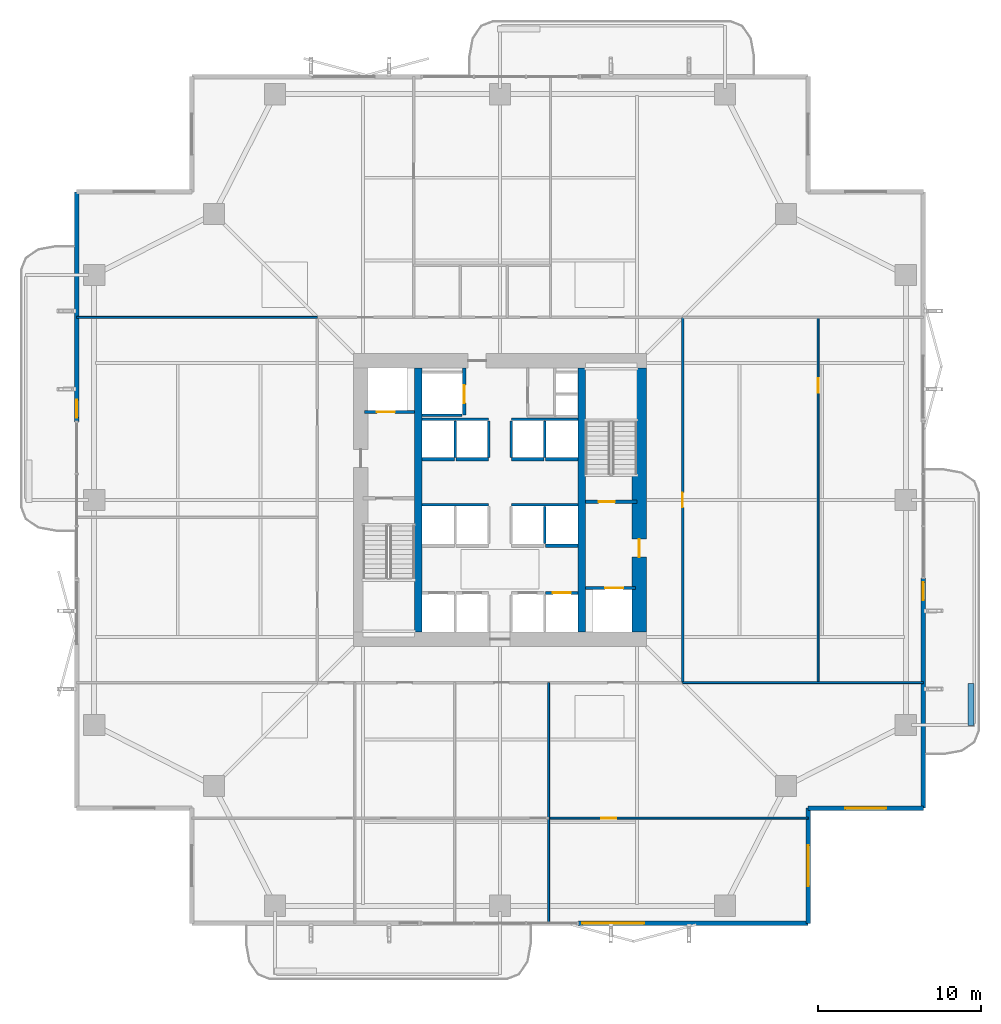
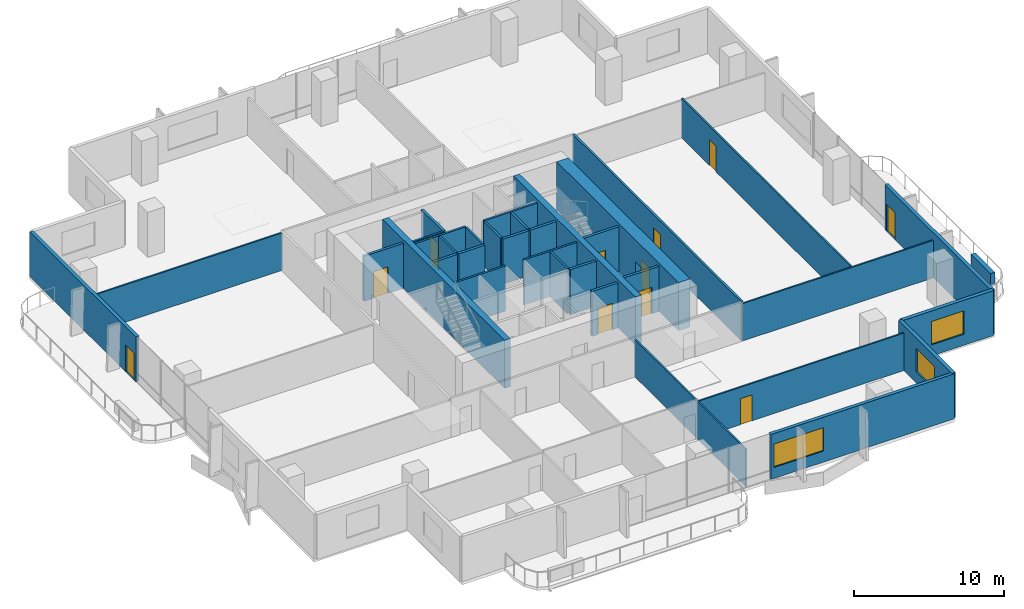
# One storey, part 18 of 23: 35 walls, 11 doors, 3 windows, 14 openings.
"""IFC4 building model written with IfcOpenShell, lengths in metres."""

from ifc_helpers import new_model, si_unit, direction, frame, frame_2d, origin, place, context, subcontext, project, spatial, rectangle, extrude, material, layer, layer_set, type_object, element, fill, save


model = new_model("IFC4")

# Units and contexts
model_context = context("Model", 3, precision=1e-05, world=origin(), true_north=direction((0.0, 1.0)))
body_context = subcontext(model_context, "Body", "Model", "MODEL_VIEW")
ifc_project = project(units=[si_unit("LENGTHUNIT", "METRE"), si_unit("AREAUNIT", "SQUARE_METRE"), si_unit("VOLUMEUNIT", "CUBIC_METRE"), si_unit("PLANEANGLEUNIT", "RADIAN"), si_unit("MASSUNIT", "GRAM", prefix="KILO")], contexts=[model_context])

# Site, building, storey
site_placement = place(None, origin())
site = spatial("IfcSite", under=ifc_project, at=site_placement, CompositionType="ELEMENT")
building_placement = place(site_placement, origin())
building = spatial("IfcBuilding", under=site, at=building_placement, Name="Belovzor Exchange Tower", CompositionType="ELEMENT")
storey_placement = place(building_placement, frame((0.0, 0.0, 125.10009765625)))
storey = spatial("IfcBuildingStorey", under=building, at=storey_placement, Name="L30", CompositionType="ELEMENT", Elevation=125.10009765625)

# Wall
ifc_material_1 = material(Name="Acoustic Plasterboard on Galvanised Studs", Category="gypsum")
ifc_layer_1 = layer(ifc_material_1, 0.1201171875)
ifc_layer_set_1 = layer_set([ifc_layer_1], Name="Acoustic Plasterboard on Galvanised Studs")
wall_type_1 = type_object("IfcWallType", Name="Acoustic Double-Stud Partition Wall 120", PredefinedType="PARTITIONING", material=ifc_layer_set_1)
wall_1_placement = place(storey_placement, frame((31.780029296875, 2.830078125, 0.0), z_axis=(0.0, 0.0, 1.0), x_axis=(0.0, 1.0, 0.0)))
element("IfcWall", 1, at=wall_1_placement, inside=storey, type_object=wall_type_1, Name="W-P120 Partition Wall W-L30-SDIV-3", PredefinedType="PARTITIONING", context=body_context, shape_type="SweptSolid", body=[
    extrude(rectangle(XDim=14.77001953125, YDim=0.1201171875, at=frame_2d((7.385009765625, 0.0))), origin(), (0.0, 0.0, 1.0), 3.034912109375),
])

# Wall, opening, door
wall_2_placement = place(storey_placement, frame((31.780029296875, 9.280029296875, 0.0), z_axis=(0.0, 0.0, 1.0), x_axis=(1.0, 0.0, 0.0)))
wall_2 = element("IfcWall", 2, at=wall_2_placement, inside=storey, type_object=wall_type_1, Name="W-P120 Partition Wall W-L30-SHDIV-3", PredefinedType="PARTITIONING", context=body_context, shape_type="SweptSolid", body=[
    extrude(rectangle(XDim=15.919921875, YDim=0.1201171875, at=frame_2d((7.9599609375, 0.0))), origin(), (0.0, 0.0, 1.0), 3.034912109375),
])
opening_1_placement = place(wall_2_placement, frame((3.24609375, 0.0, 0.0)))
opening_1 = element("IfcOpeningElement", 3, at=opening_1_placement, cuts=wall_2, Name="Opening D-INT-090", PredefinedType="OPENING", context=body_context, shape_type="SweptSolid", body=[
    extrude(rectangle(XDim=0.89990234375, YDim=2.10009765625, at=frame_2d((0.449951171875, 1.050048828125))), frame((0.0, 0.070068359375, 0.0), z_axis=(0.0, -1.0, 0.0), x_axis=(1.0, 0.0, 0.0)), (0.0, 0.0, 1.0), 0.14013671875),
])
ifc_material_2 = material(Name="Veneered Hardwood Acoustic Leaf", Category="wood")
door_type_1 = type_object("IfcDoorType", Name="Trading Suite Acoustic Single Door 900x2100", OperationType="NOTDEFINED", PredefinedType="DOOR", material=ifc_material_2)
door_1_placement = place(opening_1_placement, origin())
door_1 = element("IfcDoor", 4, at=door_1_placement, inside=storey, type_object=door_type_1, Name="D-INT-090 Trading Suite Acoustic Single Door 900x2100", OperationType="SINGLE_SWING_LEFT", OverallHeight=2.10009765625, OverallWidth=0.89990234375, PredefinedType="DOOR", context=body_context, shape_type="SweptSolid", body=[
    extrude(rectangle(XDim=0.89990234375, YDim=2.10009765625, at=frame_2d((0.449951171875, 1.050048828125))), frame((0.0, 0.02490234375, 0.0), z_axis=(0.0, -1.0, 0.0), x_axis=(1.0, 0.0, 0.0)), (0.0, 0.0, 1.0), 0.050048828125),
])
fill(opening_1, door_1)

# Walls
for number, where, z_axis, x_axis, name in (
    (5, (40.0, 17.60009765625, 0.0), (0.0, 0.0, 1.0), (1.0, 0.0, 0.0), "W-P120 Partition Wall W-L30-END-SE"),
    (6, (2.830078125, 40.0, 0.0), (0.0, 0.0, 1.0), (1.0, 0.0, 0.0), "W-P120 Partition Wall W-L30-END-NW"),
):
    element("IfcWall", number, at=place(storey_placement, frame(where, z_axis=z_axis, x_axis=x_axis)), inside=storey, type_object=wall_type_1, Name=name, PredefinedType="PARTITIONING", context=body_context, shape_type="SweptSolid", body=[
        extrude(rectangle(XDim=14.77001953125, YDim=0.1201171875, at=frame_2d((7.385009765625, 0.0))), origin(), (0.0, 0.0, 1.0), 3.034912109375),
    ])

# Wall, opening, door
wall_3_placement = place(storey_placement, frame((48.320068359375, 17.60009765625, 0.0), z_axis=(0.0, 0.0, 1.0), x_axis=(0.0, 1.0, 0.0)))
wall_3 = element("IfcWall", 7, at=wall_3_placement, inside=storey, type_object=wall_type_1, Name="W-P120 Partition Wall W-L30-EHDIV-0", PredefinedType="PARTITIONING", context=body_context, shape_type="SweptSolid", body=[
    extrude(rectangle(XDim=22.39990234375, YDim=0.1201171875, at=frame_2d((11.199951171875, 0.0))), origin(), (0.0, 0.0, 1.0), 3.184814453125),
])
opening_2_placement = place(wall_3_placement, frame((17.782958984375, 0.0, 0.0)))
opening_2 = element("IfcOpeningElement", 8, at=opening_2_placement, cuts=wall_3, Name="Opening D-INT-090", PredefinedType="OPENING", context=body_context, shape_type="SweptSolid", body=[
    extrude(rectangle(XDim=0.89990234375, YDim=2.10009765625, at=frame_2d((0.449951171875, 1.050048828125))), frame((0.0, 0.070068359375, 0.0), z_axis=(0.0, -1.0, 0.0), x_axis=(1.0, 0.0, 0.0)), (0.0, 0.0, 1.0), 0.14013671875),
])
door_2_placement = place(opening_2_placement, origin())
door_2 = element("IfcDoor", 9, at=door_2_placement, inside=storey, type_object=door_type_1, Name="D-INT-090 Trading Suite Acoustic Single Door 900x2100", OperationType="SINGLE_SWING_RIGHT", OverallHeight=2.10009765625, OverallWidth=0.89990234375, PredefinedType="DOOR", context=body_context, shape_type="SweptSolid", body=[
    extrude(rectangle(XDim=0.89990234375, YDim=2.10009765625, at=frame_2d((0.449951171875, 1.050048828125))), frame((0.0, 0.02490234375, 0.0), z_axis=(0.0, -1.0, 0.0), x_axis=(1.0, 0.0, 0.0)), (0.0, 0.0, 1.0), 0.050048828125),
])
fill(opening_2, door_2)

ifc_material_3 = material(Name="Fire-Rated Gypsum Block and Mineral Wool", Category="gypsum")
ifc_layer_2 = layer(ifc_material_3, 0.14990234375)
ifc_layer_set_2 = layer_set([ifc_layer_2], Name="Fire-Rated Gypsum Block and Mineral Wool")
wall_type_2 = type_object("IfcWallType", Name="Fire-Rated Gypsum Block Corridor Wall 150", PredefinedType="PARTITIONING", material=ifc_layer_set_2)
wall_4_placement = place(storey_placement, frame((40.0, 17.60009765625, 0.0), z_axis=(0.0, 0.0, 1.0), x_axis=(0.0, 1.0, 0.0)))
wall_4 = element("IfcWall", 10, at=wall_4_placement, inside=storey, type_object=wall_type_2, Name="W-P150 Partition Wall W-L30-CE", PredefinedType="PARTITIONING", context=body_context, shape_type="SweptSolid", body=[
    extrude(rectangle(XDim=22.39990234375, YDim=0.14990234375, at=frame_2d((11.199951171875, 0.0))), origin(), (0.0, 0.0, 1.0), 3.184814453125),
])
opening_3_placement = place(wall_4_placement, frame((10.75, 0.0, 0.0)))
opening_3 = element("IfcOpeningElement", 11, at=opening_3_placement, cuts=wall_4, Name="Opening D-INT-090", PredefinedType="OPENING", context=body_context, shape_type="SweptSolid", body=[
    extrude(rectangle(XDim=0.89990234375, YDim=2.10009765625, at=frame_2d((0.449951171875, 1.050048828125))), frame((0.0, 0.0849609375, 0.0), z_axis=(0.0, -1.0, 0.0), x_axis=(1.0, 0.0, 0.0)), (0.0, 0.0, 1.0), 0.169921875),
])
door_3_placement = place(opening_3_placement, origin())
door_3 = element("IfcDoor", 12, at=door_3_placement, inside=storey, type_object=door_type_1, Name="D-INT-090 Trading Suite Acoustic Single Door 900x2100", OperationType="SINGLE_SWING_LEFT", OverallHeight=2.10009765625, OverallWidth=0.89990234375, PredefinedType="DOOR", context=body_context, shape_type="SweptSolid", body=[
    extrude(rectangle(XDim=0.89990234375, YDim=2.10009765625, at=frame_2d((0.449951171875, 1.050048828125))), frame((0.0, 0.02490234375, 0.0), z_axis=(0.0, -1.0, 0.0), x_axis=(1.0, 0.0, 0.0)), (0.0, 0.0, 1.0), 0.050048828125),
])
fill(opening_3, door_3)

# Wall, opening, window
ifc_material_4 = material(Name="Precast concrete C40/50", Category="concrete")
ifc_layer_3 = layer(ifc_material_4, 0.280029296875)
ifc_layer_set_3 = layer_set([ifc_layer_3], Name="Precast concrete C40/50")
wall_type_3 = type_object("IfcWallType", Name="Precast Concrete Notched Corner Frame Wall 280", PredefinedType="SOLIDWALL", material=ifc_layer_set_3)
wall_5_placement = place(storey_placement, frame((54.77001953125, 9.89990234375, 0.0), z_axis=(0.0, 0.0, 1.0), x_axis=(-1.0, 0.0, 0.0)))
wall_5 = element("IfcWall", 13, at=wall_5_placement, inside=storey, type_object=wall_type_3, Name="W-CRN280 Precast Concrete Notched Corner Frame Wall 280 L30", PredefinedType="SOLIDWALL", context=body_context, shape_type="SweptSolid", body=[
    extrude(rectangle(XDim=7.070068359375, YDim=0.280029296875, at=frame_2d((3.53515625, 0.0))), origin(), (0.0, 0.0, 1.0), 3.64990234375),
])
opening_4_placement = place(wall_5_placement, frame((2.284912109375, 0.0, 0.89990234375)))
opening_4 = element("IfcOpeningElement", 14, at=opening_4_placement, cuts=wall_5, Name="Opening WN-CRN250", PredefinedType="OPENING", context=body_context, shape_type="SweptSolid", body=[
    extrude(rectangle(XDim=2.5, YDim=1.89990234375, at=frame_2d((1.25, 0.949951171875))), frame((0.0, 0.14990234375, 0.0), z_axis=(0.0, -1.0, 0.0), x_axis=(1.0, 0.0, 0.0)), (0.0, 0.0, 1.0), 0.300048828125),
])
ifc_material_5 = material(Name="Thermally Broken Aluminium and Triple Glazing", Category="aluminium")
window_type_1 = type_object("IfcWindowType", Name="Streamline Moderne Corner Wrap Ribbon Window 2500x1900", PartitioningType="SINGLE_PANEL", PredefinedType="WINDOW", material=ifc_material_5)
window_1_placement = place(opening_4_placement, origin())
window_1 = element("IfcWindow", 15, at=window_1_placement, inside=storey, type_object=window_type_1, Name="WN-CRN250 Streamline Moderne Corner Wrap Ribbon Window 2500x1900", OverallHeight=1.89990234375, OverallWidth=2.5, PartitioningType="SINGLE_PANEL", PredefinedType="WINDOW", context=body_context, shape_type="SweptSolid", body=[
    extrude(rectangle(XDim=2.5, YDim=1.89990234375, at=frame_2d((1.25, 0.949951171875))), frame((0.0, 0.030029296875, 0.0), z_axis=(0.0, -1.0, 0.0), x_axis=(1.0, 0.0, 0.0)), (0.0, 0.0, 1.0), 0.06005859375),
])
fill(opening_4, window_1)

wall_6_placement = place(storey_placement, frame((47.699951171875, 9.89990234375, 0.0), z_axis=(0.0, 0.0, 1.0), x_axis=(0.0, -1.0, 0.0)))
wall_6 = element("IfcWall", 16, at=wall_6_placement, inside=storey, type_object=wall_type_3, Name="W-CRN280 Precast Concrete Notched Corner Frame Wall 280 L30", PredefinedType="SOLIDWALL", context=body_context, shape_type="SweptSolid", body=[
    extrude(rectangle(XDim=7.06982421875, YDim=0.280029296875, at=frame_2d((3.534912109375, 0.0))), origin(), (0.0, 0.0, 1.0), 3.64990234375),
])
opening_5_placement = place(wall_6_placement, frame((2.284912109375, 0.0, 0.89990234375)))
opening_5 = element("IfcOpeningElement", 17, at=opening_5_placement, cuts=wall_6, Name="Opening WN-CRN250", PredefinedType="OPENING", context=body_context, shape_type="SweptSolid", body=[
    extrude(rectangle(XDim=2.5, YDim=1.89990234375, at=frame_2d((1.25, 0.949951171875))), frame((0.0, 0.14990234375, 0.0), z_axis=(0.0, -1.0, 0.0), x_axis=(1.0, 0.0, 0.0)), (0.0, 0.0, 1.0), 0.300048828125),
])
window_2_placement = place(opening_5_placement, origin())
window_2 = element("IfcWindow", 18, at=window_2_placement, inside=storey, type_object=window_type_1, Name="WN-CRN250 Streamline Moderne Corner Wrap Ribbon Window 2500x1900", OverallHeight=1.89990234375, OverallWidth=2.5, PartitioningType="SINGLE_PANEL", PredefinedType="WINDOW", context=body_context, shape_type="SweptSolid", body=[
    extrude(rectangle(XDim=2.5, YDim=1.89990234375, at=frame_2d((1.25, 0.949951171875))), frame((0.0, 0.030029296875, 0.0), z_axis=(0.0, -1.0, 0.0), x_axis=(1.0, 0.0, 0.0)), (0.0, 0.0, 1.0), 0.06005859375),
])
fill(opening_5, window_2)

ifc_material_6 = material(Name="Precast concrete C40/50", Category="concrete")
ifc_layer_4 = layer(ifc_material_6, 0.260009765625)
ifc_layer_set_4 = layer_set([ifc_layer_4], Name="Precast concrete C40/50")
wall_type_4 = type_object("IfcWallType", Name="Precast Concrete Perimeter Loggia Frame Wall 260", PredefinedType="SOLIDWALL", material=ifc_layer_set_4)
wall_7_placement = place(storey_placement, frame((47.699951171875, 2.830078125, 0.0), z_axis=(0.0, 0.0, 1.0), x_axis=(-1.0, 0.0, 0.0)))
wall_7 = element("IfcWall", 19, at=wall_7_placement, inside=storey, type_object=wall_type_4, Name="W-EXT260 Precast Concrete Perimeter Loggia Frame Wall 260 L30", PredefinedType="SOLIDWALL", context=body_context, shape_type="SweptSolid", body=[
    extrude(rectangle(XDim=14.099853515625, YDim=0.260009765625, at=frame_2d((7.0498046875, 0.0))), origin(), (0.0, 0.0, 1.0), 3.64990234375),
])
opening_6_placement = place(wall_7_placement, frame((10.050048828125, 0.0, 0.89990234375)))
opening_6 = element("IfcOpeningElement", 20, at=opening_6_placement, cuts=wall_7, Name="Opening WN-RIB380", PredefinedType="OPENING", context=body_context, shape_type="SweptSolid", body=[
    extrude(rectangle(XDim=3.800048828125, YDim=1.89990234375, at=frame_2d((1.89990234375, 0.949951171875))), frame((0.0, 0.139892578125, 0.0), z_axis=(0.0, -1.0, 0.0), x_axis=(1.0, 0.0, 0.0)), (0.0, 0.0, 1.0), 0.280029296875),
])
ifc_material_7 = material(Name="Thermally Broken Aluminium and Triple Glazing", Category="aluminium")
window_type_2 = type_object("IfcWindowType", Name="Streamline Moderne Horizontal Ribbon Window 3800x1900", PartitioningType="SINGLE_PANEL", PredefinedType="WINDOW", material=ifc_material_7)
window_3_placement = place(opening_6_placement, origin())
window_3 = element("IfcWindow", 21, at=window_3_placement, inside=storey, type_object=window_type_2, Name="WN-RIB380 Streamline Moderne Horizontal Ribbon Window 3800x1900", OverallHeight=1.89990234375, OverallWidth=3.800048828125, PartitioningType="SINGLE_PANEL", PredefinedType="WINDOW", context=body_context, shape_type="SweptSolid", body=[
    extrude(rectangle(XDim=3.800048828125, YDim=1.89990234375, at=frame_2d((1.89990234375, 0.949951171875))), frame((0.0, 0.030029296875, 0.0), z_axis=(0.0, -1.0, 0.0), x_axis=(1.0, 0.0, 0.0)), (0.0, 0.0, 1.0), 0.06005859375),
])
fill(opening_6, window_3)

# Wall, opening, door
wall_8_placement = place(storey_placement, frame((2.830078125, 33.60009765625, 0.0), z_axis=(0.0, 0.0, 1.0), x_axis=(0.0, 1.0, 0.0)))
wall_8 = element("IfcWall", 22, at=wall_8_placement, inside=storey, type_object=wall_type_4, Name="W-EXT260 Precast Concrete Perimeter Loggia Frame Wall 260 L30", PredefinedType="SOLIDWALL", context=body_context, shape_type="SweptSolid", body=[
    extrude(rectangle(XDim=14.099853515625, YDim=0.260009765625, at=frame_2d((7.0498046875, 0.0))), origin(), (0.0, 0.0, 1.0), 3.64990234375),
])
opening_7_placement = place(wall_8_placement, frame((0.25, 0.0, 0.0)))
opening_7 = element("IfcOpeningElement", 23, at=opening_7_placement, cuts=wall_8, Name="Opening D-BAL110", PredefinedType="OPENING", context=body_context, shape_type="SweptSolid", body=[
    extrude(rectangle(XDim=1.10009765625, YDim=2.199951171875, at=frame_2d((0.550048828125, 1.10009765625))), frame((0.0, 0.139892578125, 0.0), z_axis=(0.0, -1.0, 0.0), x_axis=(1.0, 0.0, 0.0)), (0.0, 0.0, 1.0), 0.280029296875),
])
ifc_material_8 = material(Name="Thermally Broken Anodised Aluminium and Laminated Glass", Category="aluminium")
door_type_2 = type_object("IfcDoorType", Name="Planted Loggia Terrace Glazed Door 1100x2200", OperationType="SINGLE_SWING_LEFT", PredefinedType="DOOR", material=ifc_material_8)
door_4_placement = place(opening_7_placement, origin())
door_4 = element("IfcDoor", 24, at=door_4_placement, inside=storey, type_object=door_type_2, Name="D-BAL110 Balcony Terrace Door L30 W", OperationType="SINGLE_SWING_RIGHT", OverallHeight=2.199951171875, OverallWidth=1.10009765625, PredefinedType="DOOR", context=body_context, shape_type="SweptSolid", body=[
    extrude(rectangle(XDim=1.10009765625, YDim=2.199951171875, at=frame_2d((0.550048828125, 1.10009765625))), frame((0.0, 0.02490234375, 0.0), z_axis=(0.0, -1.0, 0.0), x_axis=(1.0, 0.0, 0.0)), (0.0, 0.0, 1.0), 0.050048828125),
])
fill(opening_7, door_4)

wall_9_placement = place(storey_placement, frame((54.77001953125, 24.0, 0.0), z_axis=(0.0, 0.0, 1.0), x_axis=(0.0, -1.0, 0.0)))
wall_9 = element("IfcWall", 25, at=wall_9_placement, inside=storey, type_object=wall_type_4, Name="W-EXT260 Precast Concrete Perimeter Loggia Frame Wall 260 L30", PredefinedType="SOLIDWALL", context=body_context, shape_type="SweptSolid", body=[
    extrude(rectangle(XDim=14.10009765625, YDim=0.260009765625, at=frame_2d((7.050048828125, 0.0))), origin(), (0.0, 0.0, 1.0), 3.64990234375),
])
opening_8_placement = place(wall_9_placement, frame((0.25, 0.0, 0.0)))
opening_8 = element("IfcOpeningElement", 26, at=opening_8_placement, cuts=wall_9, Name="Opening D-BAL110", PredefinedType="OPENING", context=body_context, shape_type="SweptSolid", body=[
    extrude(rectangle(XDim=1.10009765625, YDim=2.199951171875, at=frame_2d((0.550048828125, 1.10009765625))), frame((0.0, 0.139892578125, 0.0), z_axis=(0.0, -1.0, 0.0), x_axis=(1.0, 0.0, 0.0)), (0.0, 0.0, 1.0), 0.280029296875),
])
door_5_placement = place(opening_8_placement, origin())
door_5 = element("IfcDoor", 27, at=door_5_placement, inside=storey, type_object=door_type_2, Name="D-BAL110 Balcony Terrace Door L30 E", OperationType="SINGLE_SWING_LEFT", OverallHeight=2.199951171875, OverallWidth=1.10009765625, PredefinedType="DOOR", context=body_context, shape_type="SweptSolid", body=[
    extrude(rectangle(XDim=1.10009765625, YDim=2.199951171875, at=frame_2d((0.550048828125, 1.10009765625))), frame((0.0, 0.02490234375, 0.0), z_axis=(0.0, -1.0, 0.0), x_axis=(1.0, 0.0, 0.0)), (0.0, 0.0, 1.0), 0.050048828125),
])
fill(opening_8, door_5)

# Walls
ifc_material_9 = material(Name="Precast concrete C40/50", Category="concrete")
ifc_layer_5 = layer(ifc_material_9, 0.35009765625)
ifc_layer_set_5 = layer_set([ifc_layer_5], Name="Precast concrete C40/50")
wall_type_5 = type_object("IfcWallType", Name="Precast Concrete Structural Tree Planter Trough 350", PredefinedType="PARAPET", material=ifc_layer_set_5)
wall_10_placement = place(storey_placement, frame((57.699951171875, 14.949951171875, 0.0), z_axis=(0.0, 0.0, 1.0), x_axis=(0.0, 1.0, 0.0)))
element("IfcWall", 28, at=wall_10_placement, inside=storey, type_object=wall_type_5, Name="PT-350 Precast Concrete Structural Tree Planter Trough 350 L30", PredefinedType="PARAPET", context=body_context, shape_type="SweptSolid", body=[
    extrude(rectangle(XDim=2.60009765625, YDim=0.35009765625, at=frame_2d((1.300048828125, 0.0))), origin(), (0.0, 0.0, 1.0), 0.89990234375),
])
ifc_material_10 = material(Name="Concrete C50/60", Category="concrete")
ifc_layer_6 = layer(ifc_material_10, 0.449951171875)
ifc_layer_set_6 = layer_set([ifc_layer_6], Name="Concrete C50/60")
wall_type_6 = type_object("IfcWallType", Name="Reinforced Concrete Core Internal Web Wall 450", PredefinedType="SHEAR", material=ifc_layer_set_6)
for number, where, z_axis, x_axis, name in (
    (29, (23.77490234375, 20.699951171875, 0.0), (0.0, 0.0, 1.0), (0.0, 1.0, 0.0), "CW-W045 Core Internal Web Wall L30 WL"),
    (30, (33.824951171875, 20.699951171875, 0.0), (0.0, 0.0, 1.0), (0.0, 1.0, 0.0), "CW-W045 Core Internal Web Wall L30 ER"),
):
    element("IfcWall", number, at=place(storey_placement, frame(where, z_axis=z_axis, x_axis=x_axis)), inside=storey, type_object=wall_type_6, Name=name, PredefinedType="SHEAR", context=body_context, shape_type="SweptSolid", body=[
        extrude(rectangle(XDim=16.199951171875, YDim=0.449951171875, at=frame_2d((8.10009765625, 0.0))), origin(), (0.0, 0.0, 1.0), 3.89990234375),
    ])
ifc_material_11 = material(Name="Concrete C50/60", Category="concrete")
ifc_layer_7 = layer(ifc_material_11, 0.14990234375)
ifc_layer_set_7 = layer_set([ifc_layer_7], Name="Concrete C50/60")
wall_type_7 = type_object("IfcWallType", Name="Reinforced Concrete Core Riser Shear Wall 150", PredefinedType="SHEAR", material=ifc_layer_set_7)
wall_11_placement = place(storey_placement, frame((24.0, 34.0, 0.0), z_axis=(0.0, 0.0, 1.0), x_axis=(1.0, 0.0, 0.0)))
element("IfcWall", 31, at=wall_11_placement, inside=storey, type_object=wall_type_7, Name="W-C150S Core Shaft Wall W-SH-L30-SL-01S", PredefinedType="SHEAR", context=body_context, shape_type="SweptSolid", body=[
    extrude(rectangle(XDim=2.47998046875, YDim=0.14990234375, at=frame_2d((1.239990234375, 0.0))), origin(), (0.0, 0.0, 1.0), 3.64990234375),
])
for number, where, z_axis, x_axis, name in (
    (32, (24.02001953125, 28.5, 0.0), (0.0, 0.0, 1.0), (1.0, 0.0, 0.0), "W-C150S Core Shaft Wall W-SHB-L30-PLM-NW"),
    (33, (29.5, 28.5, 0.0), (0.0, 0.0, 1.0), (1.0, 0.0, 0.0), "W-C150S Core Shaft Wall W-SHB-L30-PLM-NE"),
):
    element("IfcWall", number, at=place(storey_placement, frame(where, z_axis=z_axis, x_axis=x_axis)), inside=storey, type_object=wall_type_7, Name=name, PredefinedType="SHEAR", context=body_context, shape_type="SweptSolid", body=[
        extrude(rectangle(XDim=4.080078125, YDim=0.14990234375, at=frame_2d((2.0400390625, 0.0))), origin(), (0.0, 0.0, 1.0), 3.64990234375),
    ])
wall_12_placement = place(storey_placement, frame((31.550048828125, 26.1201171875, 0.0), z_axis=(0.0, 0.0, 1.0), x_axis=(0.0, 1.0, 0.0)))
element("IfcWall", 34, at=wall_12_placement, inside=storey, type_object=wall_type_7, Name="W-C150S Core Shaft Wall W-SHD-L30-PLM-4", PredefinedType="SHEAR", context=body_context, shape_type="SweptSolid", body=[
    extrude(rectangle(XDim=2.27978515625, YDim=0.14990234375, at=frame_2d((1.139892578125, 0.0))), origin(), (0.0, 0.0, 1.0), 3.64990234375),
])
for number, where, z_axis, x_axis, name in (
    (35, (24.02001953125, 33.760009765625, 0.0), (0.0, 0.0, 1.0), (1.0, 0.0, 0.0), "W-C150S Core Shaft Wall W-SHB-L30-PLH-NW"),
    (36, (29.5, 33.760009765625, 0.0), (0.0, 0.0, 1.0), (1.0, 0.0, 0.0), "W-C150S Core Shaft Wall W-SHB-L30-PLH-NE"),
):
    element("IfcWall", number, at=place(storey_placement, frame(where, z_axis=z_axis, x_axis=x_axis)), inside=storey, type_object=wall_type_7, Name=name, PredefinedType="SHEAR", context=body_context, shape_type="SweptSolid", body=[
        extrude(rectangle(XDim=4.080078125, YDim=0.14990234375, at=frame_2d((2.0400390625, 0.0))), origin(), (0.0, 0.0, 1.0), 3.64990234375),
    ])
for number, where, z_axis, x_axis, name in (
    (37, (26.050048828125, 31.419921875, 0.0), (0.0, 0.0, 1.0), (0.0, 1.0, 0.0), "W-C150S Core Shaft Wall W-SHD-L30-PLH-1"),
    (38, (28.10009765625, 31.419921875, 0.0), (0.0, 0.0, 1.0), (0.0, 1.0, 0.0), "W-C150S Core Shaft Wall W-SHD-L30-PLH-2"),
    (39, (29.5, 31.419921875, 0.0), (0.0, 0.0, 1.0), (0.0, 1.0, 0.0), "W-C150S Core Shaft Wall W-SHD-L30-PLH-3"),
    (40, (31.550048828125, 31.419921875, 0.0), (0.0, 0.0, 1.0), (0.0, 1.0, 0.0), "W-C150S Core Shaft Wall W-SHD-L30-PLH-4"),
):
    element("IfcWall", number, at=place(storey_placement, frame(where, z_axis=z_axis, x_axis=x_axis)), inside=storey, type_object=wall_type_7, Name=name, PredefinedType="SHEAR", context=body_context, shape_type="SweptSolid", body=[
        extrude(rectangle(XDim=2.239990234375, YDim=0.14990234375, at=frame_2d((1.1201171875, 0.0))), origin(), (0.0, 0.0, 1.0), 3.64990234375),
    ])

# Wall, opening, door
ifc_material_12 = material(Name="Concrete C50/60", Category="concrete")
ifc_layer_8 = layer(ifc_material_12, 0.199951171875)
ifc_layer_set_8 = layer_set([ifc_layer_8], Name="Concrete C50/60")
wall_type_8 = type_object("IfcWallType", Name="Reinforced Concrete Core Shaft Shear Wall 200", PredefinedType="SHEAR", material=ifc_layer_set_8)
wall_13_placement = place(storey_placement, frame((34.050048828125, 28.699951171875, 0.0), z_axis=(0.0, 0.0, 1.0), x_axis=(1.0, 0.0, 0.0)))
wall_13 = element("IfcWall", 41, at=wall_13_placement, inside=storey, type_object=wall_type_8, Name="W-C200S Core Shaft Wall W-CORE-L30-FFLE2", PredefinedType="SHEAR", context=body_context, shape_type="SweptSolid", body=[
    extrude(rectangle(XDim=3.14990234375, YDim=0.199951171875, at=frame_2d((1.574951171875, 0.0))), origin(), (0.0, 0.0, 1.0), 3.64990234375),
])
opening_9_placement = place(wall_13_placement, frame((0.800048828125, 0.0, 0.0)))
opening_9 = element("IfcOpeningElement", 42, at=opening_9_placement, cuts=wall_13, Name="Opening D-FD90-100", PredefinedType="OPENING", context=body_context, shape_type="SweptSolid", body=[
    extrude(rectangle(XDim=1.0, YDim=2.10009765625, at=frame_2d((0.5, 1.050048828125))), frame((0.0, 0.10986328125, 0.0), z_axis=(0.0, -1.0, 0.0), x_axis=(1.0, 0.0, 0.0)), (0.0, 0.0, 1.0), 0.219970703125),
])
ifc_material_13 = material(Name="Fire-Rated Galvanised Steel Leaf", Category="steel")
door_type_3 = type_object("IfcDoorType", Name="Protected Stairwell Single Fire Door 1000x2100", OperationType="NOTDEFINED", PredefinedType="DOOR", material=ifc_material_13)
door_6_placement = place(opening_9_placement, origin())
door_6 = element("IfcDoor", 43, at=door_6_placement, inside=storey, type_object=door_type_3, Name="D-FD90-100 Protected Stairwell Single Fire Door 1000x2100", OperationType="SINGLE_SWING_LEFT", OverallHeight=2.10009765625, OverallWidth=1.0, PredefinedType="DOOR", context=body_context, shape_type="SweptSolid", body=[
    extrude(rectangle(XDim=1.0, YDim=2.10009765625, at=frame_2d((0.5, 1.050048828125))), frame((0.0, 0.02490234375, 0.0), z_axis=(0.0, -1.0, 0.0), x_axis=(1.0, 0.0, 0.0)), (0.0, 0.0, 1.0), 0.050048828125),
])
fill(opening_9, door_6)

wall_14_placement = place(storey_placement, frame((20.5, 34.199951171875, 0.0), z_axis=(0.0, 0.0, 1.0), x_axis=(1.0, 0.0, 0.0)))
wall_14 = element("IfcWall", 44, at=wall_14_placement, inside=storey, type_object=wall_type_8, Name="W-C200S Core Shaft Wall W-SH-L30-FFL-01", PredefinedType="SHEAR", context=body_context, shape_type="SweptSolid", body=[
    extrude(rectangle(XDim=3.050048828125, YDim=0.199951171875, at=frame_2d((1.52490234375, 0.0))), origin(), (0.0, 0.0, 1.0), 3.64990234375),
])
opening_10_placement = place(wall_14_placement, frame((0.75, 0.0, 0.0)))
opening_10 = element("IfcOpeningElement", 45, at=opening_10_placement, cuts=wall_14, Name="Opening LD-110", PredefinedType="OPENING", context=body_context, shape_type="SweptSolid", body=[
    extrude(rectangle(XDim=1.10009765625, YDim=2.14990234375, at=frame_2d((0.550048828125, 1.074951171875))), frame((0.0, 0.10986328125, 0.0), z_axis=(0.0, -1.0, 0.0), x_axis=(1.0, 0.0, 0.0)), (0.0, 0.0, 1.0), 0.219970703125),
])
ifc_material_14 = material(Name="Stainless Steel Grade 304", Category="steel")
door_type_4 = type_object("IfcDoorType", Name="Automated Stainless Steel Lift Landing Door 1100x2150", OperationType="SLIDING_TO_RIGHT", PredefinedType="DOOR", material=ifc_material_14)
door_7_placement = place(opening_10_placement, origin())
door_7 = element("IfcDoor", 46, at=door_7_placement, inside=storey, type_object=door_type_4, Name="LD-110 Automated Stainless Steel Lift Landing Door 1100x2150", OperationType="SLIDING_TO_RIGHT", OverallHeight=2.14990234375, OverallWidth=1.10009765625, PredefinedType="DOOR", context=body_context, shape_type="SweptSolid", body=[
    extrude(rectangle(XDim=1.10009765625, YDim=2.14990234375, at=frame_2d((0.550048828125, 1.074951171875))), frame((0.0, 0.02490234375, 0.0), z_axis=(0.0, -1.0, 0.0), x_axis=(1.0, 0.0, 0.0)), (0.0, 0.0, 1.0), 0.050048828125),
])
fill(opening_10, door_7)

wall_15_placement = place(storey_placement, frame((34.050048828125, 23.39990234375, 0.0), z_axis=(0.0, 0.0, 1.0), x_axis=(1.0, 0.0, 0.0)))
wall_15 = element("IfcWall", 47, at=wall_15_placement, inside=storey, type_object=wall_type_8, Name="W-C200S Core Shaft Wall W-SH-L30-FFL-02", PredefinedType="SHEAR", context=body_context, shape_type="SweptSolid", body=[
    extrude(rectangle(XDim=3.050048828125, YDim=0.199951171875, at=frame_2d((1.52490234375, 0.0))), origin(), (0.0, 0.0, 1.0), 3.64990234375),
])
opening_11_placement = place(wall_15_placement, frame((1.199951171875, 0.0, 0.0)))
opening_11 = element("IfcOpeningElement", 48, at=opening_11_placement, cuts=wall_15, Name="Opening LD-110", PredefinedType="OPENING", context=body_context, shape_type="SweptSolid", body=[
    extrude(rectangle(XDim=1.10009765625, YDim=2.14990234375, at=frame_2d((0.550048828125, 1.074951171875))), frame((0.0, 0.10986328125, 0.0), z_axis=(0.0, -1.0, 0.0), x_axis=(1.0, 0.0, 0.0)), (0.0, 0.0, 1.0), 0.219970703125),
])
door_8_placement = place(opening_11_placement, origin())
door_8 = element("IfcDoor", 49, at=door_8_placement, inside=storey, type_object=door_type_4, Name="LD-110 Automated Stainless Steel Lift Landing Door 1100x2150", OperationType="SLIDING_TO_RIGHT", OverallHeight=2.14990234375, OverallWidth=1.10009765625, PredefinedType="DOOR", context=body_context, shape_type="SweptSolid", body=[
    extrude(rectangle(XDim=1.10009765625, YDim=2.14990234375, at=frame_2d((0.550048828125, 1.074951171875))), frame((0.0, 0.02490234375, 0.0), z_axis=(0.0, -1.0, 0.0), x_axis=(1.0, 0.0, 0.0)), (0.0, 0.0, 1.0), 0.050048828125),
])
fill(opening_11, door_8)

wall_16_placement = place(storey_placement, frame((26.60009765625, 34.0, 0.0), z_axis=(0.0, 0.0, 1.0), x_axis=(0.0, 1.0, 0.0)))
wall_16 = element("IfcWall", 50, at=wall_16_placement, inside=storey, type_object=wall_type_8, Name="W-C200S Core Shaft Wall W-SH-L30-SL-01", PredefinedType="SHEAR", context=body_context, shape_type="SweptSolid", body=[
    extrude(rectangle(XDim=2.89990234375, YDim=0.199951171875, at=frame_2d((1.449951171875, 0.0))), origin(), (0.0, 0.0, 1.0), 3.64990234375),
])
opening_12_placement = place(wall_16_placement, frame((0.75, 0.0, 0.0)))
opening_12 = element("IfcOpeningElement", 51, at=opening_12_placement, cuts=wall_16, Name="Opening LD-110", PredefinedType="OPENING", context=body_context, shape_type="SweptSolid", body=[
    extrude(rectangle(XDim=1.10009765625, YDim=2.14990234375, at=frame_2d((0.550048828125, 1.074951171875))), frame((0.0, 0.10986328125, 0.0), z_axis=(0.0, -1.0, 0.0), x_axis=(1.0, 0.0, 0.0)), (0.0, 0.0, 1.0), 0.219970703125),
])
door_9_placement = place(opening_12_placement, origin())
door_9 = element("IfcDoor", 52, at=door_9_placement, inside=storey, type_object=door_type_4, Name="LD-110 Automated Stainless Steel Lift Landing Door 1100x2150", OperationType="SLIDING_TO_RIGHT", OverallHeight=2.14990234375, OverallWidth=1.10009765625, PredefinedType="DOOR", context=body_context, shape_type="SweptSolid", body=[
    extrude(rectangle(XDim=1.10009765625, YDim=2.14990234375, at=frame_2d((0.550048828125, 1.074951171875))), frame((0.0, 0.02490234375, 0.0), z_axis=(0.0, -1.0, 0.0), x_axis=(1.0, 0.0, 0.0)), (0.0, 0.0, 1.0), 0.050048828125),
])
fill(opening_12, door_9)

wall_17_placement = place(storey_placement, frame((31.60009765625, 23.10009765625, 0.0), z_axis=(0.0, 0.0, 1.0), x_axis=(1.0, 0.0, 0.0)))
wall_17 = element("IfcWall", 53, at=wall_17_placement, inside=storey, type_object=wall_type_8, Name="W-C200S Core Shaft Wall W-SH-L30-PL-L4", PredefinedType="SHEAR", context=body_context, shape_type="SweptSolid", body=[
    extrude(rectangle(XDim=2.0, YDim=0.199951171875, at=frame_2d((1.0, 0.0))), origin(), (0.0, 0.0, 1.0), 3.64990234375),
])
opening_13_placement = place(wall_17_placement, frame((0.449951171875, 0.0, 0.0)))
opening_13 = element("IfcOpeningElement", 54, at=opening_13_placement, cuts=wall_17, Name="Opening LD-110", PredefinedType="OPENING", context=body_context, shape_type="SweptSolid", body=[
    extrude(rectangle(XDim=1.10009765625, YDim=2.14990234375, at=frame_2d((0.550048828125, 1.074951171875))), frame((0.0, 0.10986328125, 0.0), z_axis=(0.0, -1.0, 0.0), x_axis=(1.0, 0.0, 0.0)), (0.0, 0.0, 1.0), 0.219970703125),
])
door_10_placement = place(opening_13_placement, origin())
door_10 = element("IfcDoor", 55, at=door_10_placement, inside=storey, type_object=door_type_4, Name="LD-110 Automated Stainless Steel Lift Landing Door 1100x2150", OperationType="SLIDING_TO_RIGHT", OverallHeight=2.14990234375, OverallWidth=1.10009765625, PredefinedType="DOOR", context=body_context, shape_type="SweptSolid", body=[
    extrude(rectangle(XDim=1.10009765625, YDim=2.14990234375, at=frame_2d((0.550048828125, 1.074951171875))), frame((0.0, 0.02490234375, 0.0), z_axis=(0.0, -1.0, 0.0), x_axis=(1.0, 0.0, 0.0)), (0.0, 0.0, 1.0), 0.050048828125),
])
fill(opening_13, door_10)

# Walls
for number, where, z_axis, x_axis, name in (
    (56, (31.60009765625, 26.0, 0.0), (0.0, 0.0, 1.0), (1.0, 0.0, 0.0), "W-C200S Core Shaft Wall W-SH-L30-PL-M4"),
    (57, (24.0, 31.300048828125, 0.0), (0.0, 0.0, 1.0), (1.0, 0.0, 0.0), "W-C200S Core Shaft Wall W-SH-L30-PL-H1"),
    (58, (26.10009765625, 31.300048828125, 0.0), (0.0, 0.0, 1.0), (1.0, 0.0, 0.0), "W-C200S Core Shaft Wall W-SH-L30-PL-H2"),
    (59, (29.5, 31.300048828125, 0.0), (0.0, 0.0, 1.0), (1.0, 0.0, 0.0), "W-C200S Core Shaft Wall W-SH-L30-PL-H3"),
    (60, (31.60009765625, 31.300048828125, 0.0), (0.0, 0.0, 1.0), (1.0, 0.0, 0.0), "W-C200S Core Shaft Wall W-SH-L30-PL-H4"),
):
    element("IfcWall", number, at=place(storey_placement, frame(where, z_axis=z_axis, x_axis=x_axis)), inside=storey, type_object=wall_type_8, Name=name, PredefinedType="SHEAR", context=body_context, shape_type="SweptSolid", body=[
        extrude(rectangle(XDim=2.0, YDim=0.199951171875, at=frame_2d((1.0, 0.0))), origin(), (0.0, 0.0, 1.0), 3.64990234375),
    ])

# Wall, opening, door
ifc_material_15 = material(Name="Concrete C60/75", Category="concrete")
ifc_layer_9 = layer(ifc_material_15, 0.89990234375)
ifc_layer_set_9 = layer_set([ifc_layer_9], Name="Concrete C60/75")
wall_type_9 = type_object("IfcWallType", Name="Reinforced Concrete Core Shear Wall 900", PredefinedType="SHEAR", material=ifc_layer_set_9)
wall_18_placement = place(storey_placement, frame((37.35009765625, 20.699951171875, 0.0), z_axis=(0.0, 0.0, 1.0), x_axis=(0.0, 1.0, 0.0)))
wall_18 = element("IfcWall", 61, at=wall_18_placement, inside=storey, type_object=wall_type_9, Name="CW-S090 Core Shear Wall L30 E", PredefinedType="SHEAR", context=body_context, shape_type="SweptSolid", body=[
    extrude(rectangle(XDim=16.199951171875, YDim=0.89990234375, at=frame_2d((8.10009765625, 0.0))), origin(), (0.0, 0.0, 1.0), 3.89990234375),
])
opening_14_placement = place(wall_18_placement, frame((4.60009765625, 0.0, 0.0)))
opening_14 = element("IfcOpeningElement", 62, at=opening_14_placement, cuts=wall_18, Name="Opening D-FD90-110", PredefinedType="OPENING", context=body_context, shape_type="SweptSolid", body=[
    extrude(rectangle(XDim=1.10009765625, YDim=2.14990234375, at=frame_2d((0.550048828125, 1.074951171875))), frame((0.0, 0.4599609375, 0.0), z_axis=(0.0, -1.0, 0.0), x_axis=(1.0, 0.0, 0.0)), (0.0, 0.0, 1.0), 0.919921875),
])
ifc_material_16 = material(Name="Fire-Rated Galvanised Steel Leaf", Category="steel")
door_type_5 = type_object("IfcDoorType", Name="Protected Escape Vestibule Fire Door 1100x2150", OperationType="NOTDEFINED", PredefinedType="DOOR", material=ifc_material_16)
door_11_placement = place(opening_14_placement, origin())
door_11 = element("IfcDoor", 63, at=door_11_placement, inside=storey, type_object=door_type_5, Name="D-FD90-110 Protected Escape Vestibule Fire Door 1100x2150", OperationType="SINGLE_SWING_RIGHT", OverallHeight=2.14990234375, OverallWidth=1.10009765625, PredefinedType="DOOR", context=body_context, shape_type="SweptSolid", body=[
    extrude(rectangle(XDim=1.10009765625, YDim=2.14990234375, at=frame_2d((0.550048828125, 1.074951171875))), frame((0.0, 0.02490234375, 0.0), z_axis=(0.0, -1.0, 0.0), x_axis=(1.0, 0.0, 0.0)), (0.0, 0.0, 1.0), 0.050048828125),
])
fill(opening_14, door_11)

save(model, "model.ifc")
